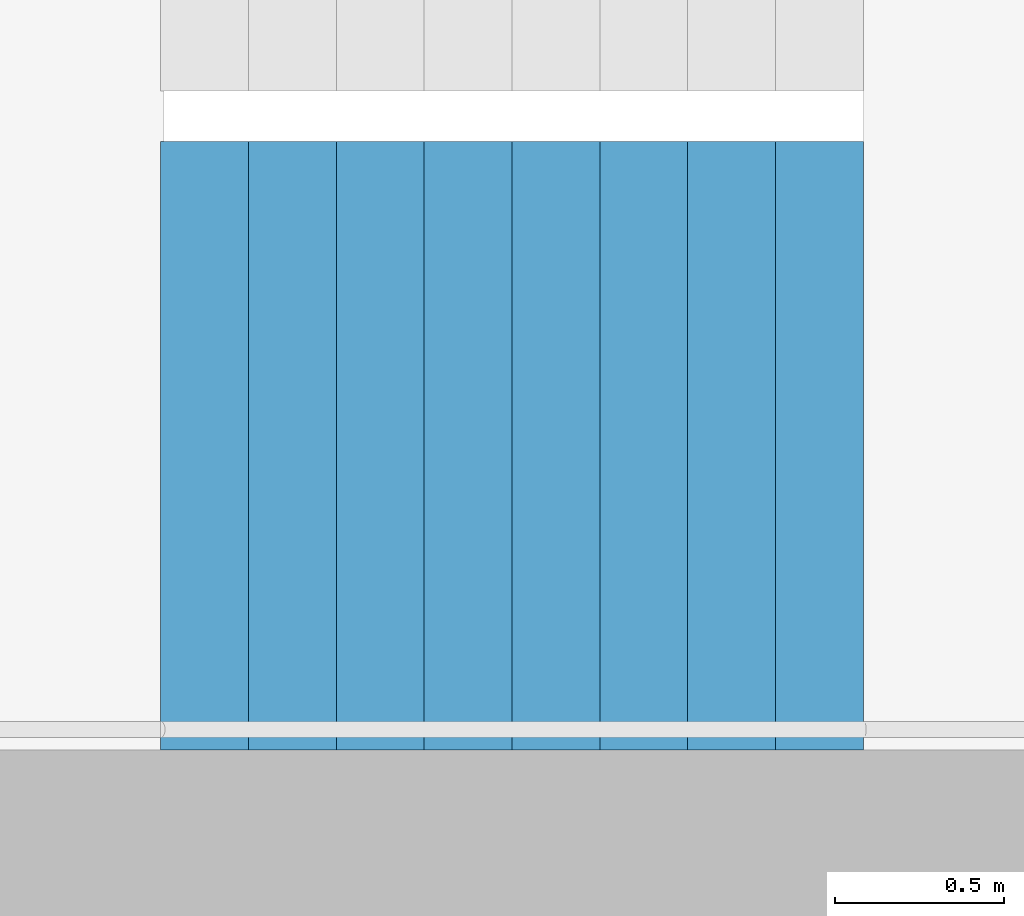
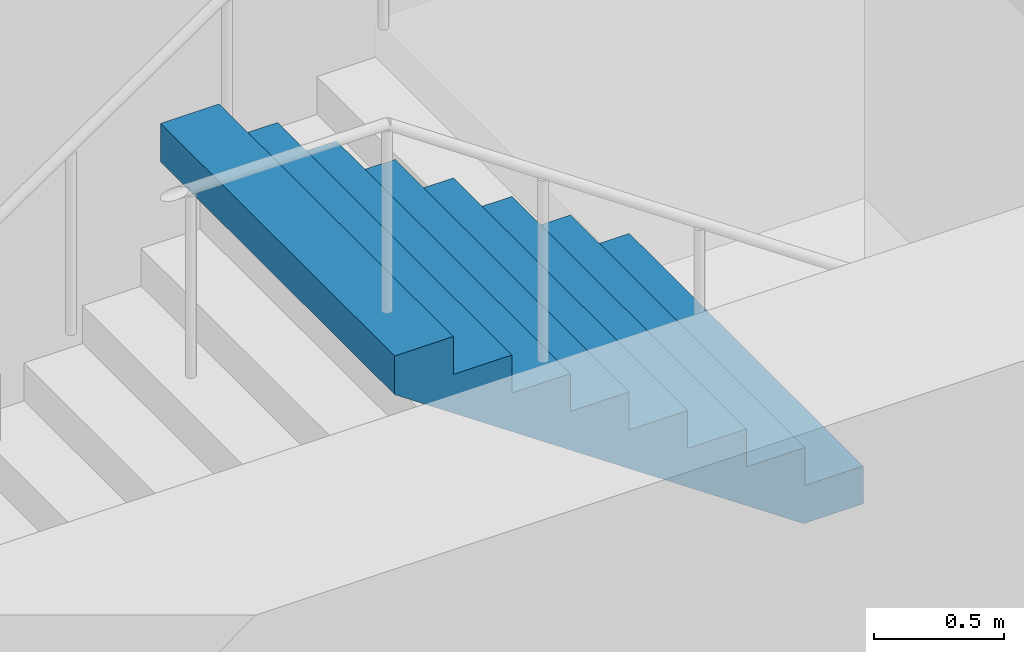
# One storey, part 23 of 27: 1 stair flight, 1 element without a shape of its own.
"""IFC4 building model written with IfcOpenShell, lengths in metres."""

from ifc_helpers import new_model, si_unit, direction, frame, origin, place, context, subcontext, project, spatial, triangles, material, type_object, element, aggregate, save


model = new_model("IFC4")

# Units and contexts
model_context = context("Model", 3, precision=1e-05, world=origin(), true_north=direction((0.0, 1.0)))
body_context = subcontext(model_context, "Body", "Model", "MODEL_VIEW")
ifc_project = project(units=[si_unit("LENGTHUNIT", "METRE"), si_unit("AREAUNIT", "SQUARE_METRE"), si_unit("VOLUMEUNIT", "CUBIC_METRE"), si_unit("PLANEANGLEUNIT", "RADIAN"), si_unit("MASSUNIT", "GRAM", prefix="KILO")], contexts=[model_context])

# Site, building, storey
site_placement = place(None, origin())
site = spatial("IfcSite", under=ifc_project, at=site_placement, CompositionType="ELEMENT")
building_placement = place(site_placement, origin())
building = spatial("IfcBuilding", under=site, at=building_placement, Name="Hakoniwa Tower and Hamabe Station Hall", CompositionType="ELEMENT")
storey_placement = place(building_placement, frame((0.0, 0.0, 166.199951171875)))
storey = spatial("IfcBuildingStorey", under=building, at=storey_placement, Name="L47", CompositionType="ELEMENT", Elevation=166.199951171875)

# Stair, stair flight
ifc_material_1 = material(Name="Concrete C40", Category="concrete")
stair_type = type_object("IfcStairType", Name="ESCAPE STAIR 1800", PredefinedType="HALF_TURN_STAIR", material=ifc_material_1)
stair_placement = place(storey_placement, origin())
stair = element("IfcStair", 1, at=stair_placement, inside=storey, type_object=stair_type, Name="Escape stair ST-4 L47", PredefinedType="HALF_TURN_STAIR")
ifc_material_2 = material(Name="Concrete C40", Category="concrete")
stair_flight_type = type_object("IfcStairFlightType", Name="STAIR FLIGHT 1800", PredefinedType="STRAIGHT", material=ifc_material_2)
stair_flight_placement = place(storey_placement, frame((25.47998046875, -6.60009765625, 1.60009765625), z_axis=(0.0, 0.0, 1.0), x_axis=(-1.0, 0.0, 0.0)))
stair_flight = element("IfcStairFlight", 2, at=stair_flight_placement, type_object=stair_flight_type, Name="ST-4 flight 2", NumberOfRisers=9, NumberOfTreads=8, PredefinedType="STRAIGHT", RiserHeight=0.177777778, TreadLength=0.26, context=body_context, shape_type="Tessellation", body=[
    triangles([(0.0, 0.89990234375, 0.0), (0.260009765625, 0.89990234375, 0.0), (0.265625, 0.89990234375, 0.0), (0.52001953125, 0.89990234375, 0.174072265625), (0.780029296875, 0.89990234375, 0.351806640625), (1.0400390625, 0.89990234375, 0.529541015625), (1.300048828125, 0.89990234375, 0.707275390625), (1.56005859375, 0.89990234375, 0.885009765625), (1.820068359375, 0.89990234375, 1.062744140625), (2.080078125, 0.89990234375, 1.24072265625), (2.080078125, 0.89990234375, 1.422119140625), (1.820068359375, 0.89990234375, 1.422119140625), (1.820068359375, 0.89990234375, 1.244384765625), (1.56005859375, 0.89990234375, 1.244384765625), (1.56005859375, 0.89990234375, 1.066650390625), (1.300048828125, 0.89990234375, 1.066650390625), (1.300048828125, 0.89990234375, 0.888916015625), (1.0400390625, 0.89990234375, 0.888916015625), (1.0400390625, 0.89990234375, 0.711181640625), (0.780029296875, 0.89990234375, 0.711181640625), (0.780029296875, 0.89990234375, 0.533447265625), (0.52001953125, 0.89990234375, 0.533447265625), (0.52001953125, 0.89990234375, 0.35546875), (0.265625, 0.89990234375, 0.35546875), (0.260009765625, 0.89990234375, 0.35546875), (0.260009765625, 0.89990234375, 0.177734375), (0.0, 0.89990234375, 0.177734375), (0.0, 0.06005859375, 0.0), (0.260009765625, 0.06005859375, 0.0), (0.265625, 0.06005859375, 0.0), (0.52001953125, 0.06005859375, 0.174072265625), (0.780029296875, 0.06005859375, 0.351806640625), (1.0400390625, 0.06005859375, 0.529541015625), (1.300048828125, 0.06005859375, 0.707275390625), (1.56005859375, 0.06005859375, 0.885009765625), (1.820068359375, 0.06005859375, 1.062744140625), (2.080078125, 0.06005859375, 1.24072265625), (2.080078125, 0.06005859375, 1.422119140625), (1.820068359375, 0.06005859375, 1.422119140625), (1.820068359375, 0.06005859375, 1.244384765625), (1.56005859375, 0.06005859375, 1.244384765625), (1.56005859375, 0.06005859375, 1.066650390625), (1.300048828125, 0.06005859375, 1.066650390625), (1.300048828125, 0.06005859375, 0.888916015625), (1.0400390625, 0.06005859375, 0.888916015625), (1.0400390625, 0.06005859375, 0.711181640625), (0.780029296875, 0.06005859375, 0.711181640625), (0.780029296875, 0.06005859375, 0.533447265625), (0.52001953125, 0.06005859375, 0.533447265625), (0.52001953125, 0.06005859375, 0.35546875), (0.265625, 0.06005859375, 0.35546875), (0.260009765625, 0.06005859375, 0.35546875), (0.260009765625, 0.06005859375, 0.177734375), (0.0, 0.06005859375, 0.177734375), (0.0, 0.04296875, 0.0), (0.260009765625, 0.04296875, 0.0), (0.265625, 0.04296875, 0.0), (0.52001953125, 0.04296875, 0.174072265625), (0.780029296875, 0.04296875, 0.351806640625), (1.0400390625, 0.04296875, 0.529541015625), (1.300048828125, 0.04296875, 0.707275390625), (1.56005859375, 0.04296875, 0.885009765625), (1.820068359375, 0.04296875, 1.062744140625), (2.080078125, 0.04296875, 1.24072265625), (2.080078125, 0.04296875, 1.422119140625), (1.820068359375, 0.04296875, 1.422119140625), (1.820068359375, 0.04296875, 1.244384765625), (1.56005859375, 0.04296875, 1.244384765625), (1.56005859375, 0.04296875, 1.066650390625), (1.300048828125, 0.04296875, 1.066650390625), (1.300048828125, 0.04296875, 0.888916015625), (1.0400390625, 0.04296875, 0.888916015625), (1.0400390625, 0.04296875, 0.711181640625), (0.780029296875, 0.04296875, 0.711181640625), (0.780029296875, 0.04296875, 0.533447265625), (0.52001953125, 0.04296875, 0.533447265625), (0.52001953125, 0.04296875, 0.35546875), (0.265625, 0.04296875, 0.35546875), (0.260009765625, 0.04296875, 0.35546875), (0.260009765625, 0.04296875, 0.177734375), (0.0, 0.04296875, 0.177734375), (0.0, 0.025634765625, 0.0), (0.260009765625, 0.025634765625, 0.0), (0.265625, 0.025634765625, 0.0), (0.52001953125, 0.025634765625, 0.174072265625), (0.780029296875, 0.025634765625, 0.351806640625), (1.0400390625, 0.025634765625, 0.529541015625), (1.300048828125, 0.025634765625, 0.707275390625), (1.56005859375, 0.025634765625, 0.885009765625), (1.820068359375, 0.025634765625, 1.062744140625), (2.080078125, 0.025634765625, 1.24072265625), (2.080078125, 0.025634765625, 1.422119140625), (1.820068359375, 0.025634765625, 1.422119140625), (1.820068359375, 0.025634765625, 1.244384765625), (1.56005859375, 0.025634765625, 1.244384765625), (1.56005859375, 0.025634765625, 1.066650390625), (1.300048828125, 0.025634765625, 1.066650390625), (1.300048828125, 0.025634765625, 0.888916015625), (1.0400390625, 0.025634765625, 0.888916015625), (1.0400390625, 0.025634765625, 0.711181640625), (0.780029296875, 0.025634765625, 0.711181640625), (0.780029296875, 0.025634765625, 0.533447265625), (0.52001953125, 0.025634765625, 0.533447265625), (0.52001953125, 0.025634765625, 0.35546875), (0.265625, 0.025634765625, 0.35546875), (0.260009765625, 0.025634765625, 0.35546875), (0.260009765625, 0.025634765625, 0.177734375), (0.0, 0.025634765625, 0.177734375), (0.0, 0.008544921875, 0.0), (0.260009765625, 0.008544921875, 0.0), (0.265625, 0.008544921875, 0.0), (0.52001953125, 0.008544921875, 0.174072265625), (0.780029296875, 0.008544921875, 0.351806640625), (1.0400390625, 0.008544921875, 0.529541015625), (1.300048828125, 0.008544921875, 0.707275390625), (1.56005859375, 0.008544921875, 0.885009765625), (1.820068359375, 0.008544921875, 1.062744140625), (2.080078125, 0.008544921875, 1.24072265625), (2.080078125, 0.008544921875, 1.422119140625), (1.820068359375, 0.008544921875, 1.422119140625), (1.820068359375, 0.008544921875, 1.244384765625), (1.56005859375, 0.008544921875, 1.244384765625), (1.56005859375, 0.008544921875, 1.066650390625), (1.300048828125, 0.008544921875, 1.066650390625), (1.300048828125, 0.008544921875, 0.888916015625), (1.0400390625, 0.008544921875, 0.888916015625), (1.0400390625, 0.008544921875, 0.711181640625), (0.780029296875, 0.008544921875, 0.711181640625), (0.780029296875, 0.008544921875, 0.533447265625), (0.52001953125, 0.008544921875, 0.533447265625), (0.52001953125, 0.008544921875, 0.35546875), (0.265625, 0.008544921875, 0.35546875), (0.260009765625, 0.008544921875, 0.35546875), (0.260009765625, 0.008544921875, 0.177734375), (0.0, 0.008544921875, 0.177734375), (0.0, -0.008544921875, 0.0), (0.260009765625, -0.008544921875, 0.0), (0.265625, -0.008544921875, 0.0), (0.52001953125, -0.008544921875, 0.174072265625), (0.780029296875, -0.008544921875, 0.351806640625), (1.0400390625, -0.008544921875, 0.529541015625), (1.300048828125, -0.008544921875, 0.707275390625), (1.56005859375, -0.008544921875, 0.885009765625), (1.820068359375, -0.008544921875, 1.062744140625), (2.080078125, -0.008544921875, 1.24072265625), (2.080078125, -0.008544921875, 1.422119140625), (1.820068359375, -0.008544921875, 1.422119140625), (1.820068359375, -0.008544921875, 1.244384765625), (1.56005859375, -0.008544921875, 1.244384765625), (1.56005859375, -0.008544921875, 1.066650390625), (1.300048828125, -0.008544921875, 1.066650390625), (1.300048828125, -0.008544921875, 0.888916015625), (1.0400390625, -0.008544921875, 0.888916015625), (1.0400390625, -0.008544921875, 0.711181640625), (0.780029296875, -0.008544921875, 0.711181640625), (0.780029296875, -0.008544921875, 0.533447265625), (0.52001953125, -0.008544921875, 0.533447265625), (0.52001953125, -0.008544921875, 0.35546875), (0.265625, -0.008544921875, 0.35546875), (0.260009765625, -0.008544921875, 0.35546875), (0.260009765625, -0.008544921875, 0.177734375), (0.0, -0.008544921875, 0.177734375), (0.0, -0.025634765625, 0.0), (0.260009765625, -0.025634765625, 0.0), (0.265625, -0.025634765625, 0.0), (0.52001953125, -0.025634765625, 0.174072265625), (0.780029296875, -0.025634765625, 0.351806640625), (1.0400390625, -0.025634765625, 0.529541015625), (1.300048828125, -0.025634765625, 0.707275390625), (1.56005859375, -0.025634765625, 0.885009765625), (1.820068359375, -0.025634765625, 1.062744140625), (2.080078125, -0.025634765625, 1.24072265625), (2.080078125, -0.025634765625, 1.422119140625), (1.820068359375, -0.025634765625, 1.422119140625), (1.820068359375, -0.025634765625, 1.244384765625), (1.56005859375, -0.025634765625, 1.244384765625), (1.56005859375, -0.025634765625, 1.066650390625), (1.300048828125, -0.025634765625, 1.066650390625), (1.300048828125, -0.025634765625, 0.888916015625), (1.0400390625, -0.025634765625, 0.888916015625), (1.0400390625, -0.025634765625, 0.711181640625), (0.780029296875, -0.025634765625, 0.711181640625), (0.780029296875, -0.025634765625, 0.533447265625), (0.52001953125, -0.025634765625, 0.533447265625), (0.52001953125, -0.025634765625, 0.35546875), (0.265625, -0.025634765625, 0.35546875), (0.260009765625, -0.025634765625, 0.35546875), (0.260009765625, -0.025634765625, 0.177734375), (0.0, -0.025634765625, 0.177734375), (0.0, -0.04296875, 0.0), (0.260009765625, -0.04296875, 0.0), (0.265625, -0.04296875, 0.0), (0.52001953125, -0.04296875, 0.174072265625), (0.780029296875, -0.04296875, 0.351806640625), (1.0400390625, -0.04296875, 0.529541015625), (1.300048828125, -0.04296875, 0.707275390625), (1.56005859375, -0.04296875, 0.885009765625), (1.820068359375, -0.04296875, 1.062744140625), (2.080078125, -0.04296875, 1.24072265625), (2.080078125, -0.04296875, 1.422119140625), (1.820068359375, -0.04296875, 1.422119140625), (1.820068359375, -0.04296875, 1.244384765625), (1.56005859375, -0.04296875, 1.244384765625), (1.56005859375, -0.04296875, 1.066650390625), (1.300048828125, -0.04296875, 1.066650390625), (1.300048828125, -0.04296875, 0.888916015625), (1.0400390625, -0.04296875, 0.888916015625), (1.0400390625, -0.04296875, 0.711181640625), (0.780029296875, -0.04296875, 0.711181640625), (0.780029296875, -0.04296875, 0.533447265625), (0.52001953125, -0.04296875, 0.533447265625), (0.52001953125, -0.04296875, 0.35546875), (0.265625, -0.04296875, 0.35546875), (0.260009765625, -0.04296875, 0.35546875), (0.260009765625, -0.04296875, 0.177734375), (0.0, -0.04296875, 0.177734375), (0.0, -0.06005859375, 0.0), (0.260009765625, -0.06005859375, 0.0), (0.265625, -0.06005859375, 0.0), (0.52001953125, -0.06005859375, 0.174072265625), (0.780029296875, -0.06005859375, 0.351806640625), (1.0400390625, -0.06005859375, 0.529541015625), (1.300048828125, -0.06005859375, 0.707275390625), (1.56005859375, -0.06005859375, 0.885009765625), (1.820068359375, -0.06005859375, 1.062744140625), (2.080078125, -0.06005859375, 1.24072265625), (2.080078125, -0.06005859375, 1.422119140625), (1.820068359375, -0.06005859375, 1.422119140625), (1.820068359375, -0.06005859375, 1.244384765625), (1.56005859375, -0.06005859375, 1.244384765625), (1.56005859375, -0.06005859375, 1.066650390625), (1.300048828125, -0.06005859375, 1.066650390625), (1.300048828125, -0.06005859375, 0.888916015625), (1.0400390625, -0.06005859375, 0.888916015625), (1.0400390625, -0.06005859375, 0.711181640625), (0.780029296875, -0.06005859375, 0.711181640625), (0.780029296875, -0.06005859375, 0.533447265625), (0.52001953125, -0.06005859375, 0.533447265625), (0.52001953125, -0.06005859375, 0.35546875), (0.265625, -0.06005859375, 0.35546875), (0.260009765625, -0.06005859375, 0.35546875), (0.260009765625, -0.06005859375, 0.177734375), (0.0, -0.06005859375, 0.177734375), (0.0, -0.89990234375, 0.0), (0.260009765625, -0.89990234375, 0.0), (0.265625, -0.89990234375, 0.0), (0.52001953125, -0.89990234375, 0.174072265625), (0.780029296875, -0.89990234375, 0.351806640625), (1.0400390625, -0.89990234375, 0.529541015625), (1.300048828125, -0.89990234375, 0.707275390625), (1.56005859375, -0.89990234375, 0.885009765625), (1.820068359375, -0.89990234375, 1.062744140625), (2.080078125, -0.89990234375, 1.24072265625), (2.080078125, -0.89990234375, 1.422119140625), (1.820068359375, -0.89990234375, 1.422119140625), (1.820068359375, -0.89990234375, 1.244384765625), (1.56005859375, -0.89990234375, 1.244384765625), (1.56005859375, -0.89990234375, 1.066650390625), (1.300048828125, -0.89990234375, 1.066650390625), (1.300048828125, -0.89990234375, 0.888916015625), (1.0400390625, -0.89990234375, 0.888916015625), (1.0400390625, -0.89990234375, 0.711181640625), (0.780029296875, -0.89990234375, 0.711181640625), (0.780029296875, -0.89990234375, 0.533447265625), (0.52001953125, -0.89990234375, 0.533447265625), (0.52001953125, -0.89990234375, 0.35546875), (0.265625, -0.89990234375, 0.35546875), (0.260009765625, -0.89990234375, 0.35546875), (0.260009765625, -0.89990234375, 0.177734375), (0.0, -0.89990234375, 0.177734375)], [[2, 27, 26], [245, 269, 270], [2, 1, 27], [245, 270, 244], [3, 25, 24], [246, 267, 268], [3, 26, 25], [246, 268, 269], [3, 2, 26], [246, 269, 245], [4, 24, 23], [247, 266, 267], [4, 3, 24], [247, 267, 246], [5, 22, 21], [248, 264, 265], [5, 23, 22], [248, 265, 266], [5, 4, 23], [248, 266, 247], [6, 20, 19], [249, 262, 263], [6, 21, 20], [249, 263, 264], [6, 5, 21], [249, 264, 248], [7, 18, 17], [250, 260, 261], [7, 19, 18], [250, 261, 262], [7, 6, 19], [250, 262, 249], [8, 16, 15], [251, 258, 259], [8, 17, 16], [251, 259, 260], [8, 7, 17], [251, 260, 250], [9, 14, 13], [252, 256, 257], [9, 15, 14], [252, 257, 258], [9, 8, 15], [252, 258, 251], [10, 12, 11], [253, 254, 255], [10, 13, 12], [253, 255, 256], [10, 9, 13], [253, 256, 252], [1, 2, 29], [1, 29, 28], [28, 29, 56], [28, 56, 55], [55, 56, 83], [55, 83, 82], [82, 83, 110], [82, 110, 109], [109, 110, 137], [109, 137, 136], [136, 137, 164], [136, 164, 163], [163, 164, 191], [163, 191, 190], [190, 191, 218], [190, 218, 217], [217, 218, 245], [217, 245, 244], [2, 3, 30], [2, 30, 29], [29, 30, 57], [29, 57, 56], [56, 57, 84], [56, 84, 83], [83, 84, 111], [83, 111, 110], [110, 111, 138], [110, 138, 137], [137, 138, 165], [137, 165, 164], [164, 165, 192], [164, 192, 191], [191, 192, 219], [191, 219, 218], [218, 219, 246], [218, 246, 245], [3, 4, 31], [3, 31, 30], [30, 31, 58], [30, 58, 57], [57, 58, 85], [57, 85, 84], [84, 85, 112], [84, 112, 111], [111, 112, 139], [111, 139, 138], [138, 139, 166], [138, 166, 165], [165, 166, 193], [165, 193, 192], [192, 193, 220], [192, 220, 219], [219, 220, 247], [219, 247, 246], [4, 5, 32], [4, 32, 31], [31, 32, 59], [31, 59, 58], [58, 59, 86], [58, 86, 85], [85, 86, 113], [85, 113, 112], [112, 113, 140], [112, 140, 139], [139, 140, 167], [139, 167, 166], [166, 167, 194], [166, 194, 193], [193, 194, 221], [193, 221, 220], [220, 221, 248], [220, 248, 247], [5, 6, 33], [5, 33, 32], [32, 33, 60], [32, 60, 59], [59, 60, 87], [59, 87, 86], [86, 87, 114], [86, 114, 113], [113, 114, 141], [113, 141, 140], [140, 141, 168], [140, 168, 167], [167, 168, 195], [167, 195, 194], [194, 195, 222], [194, 222, 221], [221, 222, 249], [221, 249, 248], [6, 7, 34], [6, 34, 33], [33, 34, 61], [33, 61, 60], [60, 61, 88], [60, 88, 87], [87, 88, 115], [87, 115, 114], [114, 115, 142], [114, 142, 141], [141, 142, 169], [141, 169, 168], [168, 169, 196], [168, 196, 195], [195, 196, 223], [195, 223, 222], [222, 223, 250], [222, 250, 249], [7, 8, 35], [7, 35, 34], [34, 35, 62], [34, 62, 61], [61, 62, 89], [61, 89, 88], [88, 89, 116], [88, 116, 115], [115, 116, 143], [115, 143, 142], [142, 143, 170], [142, 170, 169], [169, 170, 197], [169, 197, 196], [196, 197, 224], [196, 224, 223], [223, 224, 251], [223, 251, 250], [8, 9, 36], [8, 36, 35], [35, 36, 63], [35, 63, 62], [62, 63, 90], [62, 90, 89], [89, 90, 117], [89, 117, 116], [116, 117, 144], [116, 144, 143], [143, 144, 171], [143, 171, 170], [170, 171, 198], [170, 198, 197], [197, 198, 225], [197, 225, 224], [224, 225, 252], [224, 252, 251], [9, 10, 37], [9, 37, 36], [36, 37, 64], [36, 64, 63], [63, 64, 91], [63, 91, 90], [90, 91, 118], [90, 118, 117], [117, 118, 145], [117, 145, 144], [144, 145, 172], [144, 172, 171], [171, 172, 199], [171, 199, 198], [198, 199, 226], [198, 226, 225], [225, 226, 253], [225, 253, 252], [10, 11, 38], [10, 38, 37], [37, 38, 65], [37, 65, 64], [64, 65, 92], [64, 92, 91], [91, 92, 119], [91, 119, 118], [118, 119, 146], [118, 146, 145], [145, 146, 173], [145, 173, 172], [172, 173, 200], [172, 200, 199], [199, 200, 227], [199, 227, 226], [226, 227, 254], [226, 254, 253], [11, 12, 39], [11, 39, 38], [38, 39, 66], [38, 66, 65], [65, 66, 93], [65, 93, 92], [92, 93, 120], [92, 120, 119], [119, 120, 147], [119, 147, 146], [146, 147, 174], [146, 174, 173], [173, 174, 201], [173, 201, 200], [200, 201, 228], [200, 228, 227], [227, 228, 255], [227, 255, 254], [12, 13, 40], [12, 40, 39], [39, 40, 67], [39, 67, 66], [66, 67, 94], [66, 94, 93], [93, 94, 121], [93, 121, 120], [120, 121, 148], [120, 148, 147], [147, 148, 175], [147, 175, 174], [174, 175, 202], [174, 202, 201], [201, 202, 229], [201, 229, 228], [228, 229, 256], [228, 256, 255], [13, 14, 41], [13, 41, 40], [40, 41, 68], [40, 68, 67], [67, 68, 95], [67, 95, 94], [94, 95, 122], [94, 122, 121], [121, 122, 149], [121, 149, 148], [148, 149, 176], [148, 176, 175], [175, 176, 203], [175, 203, 202], [202, 203, 230], [202, 230, 229], [229, 230, 257], [229, 257, 256], [14, 15, 42], [14, 42, 41], [41, 42, 69], [41, 69, 68], [68, 69, 96], [68, 96, 95], [95, 96, 123], [95, 123, 122], [122, 123, 150], [122, 150, 149], [149, 150, 177], [149, 177, 176], [176, 177, 204], [176, 204, 203], [203, 204, 231], [203, 231, 230], [230, 231, 258], [230, 258, 257], [15, 16, 43], [15, 43, 42], [42, 43, 70], [42, 70, 69], [69, 70, 97], [69, 97, 96], [96, 97, 124], [96, 124, 123], [123, 124, 151], [123, 151, 150], [150, 151, 178], [150, 178, 177], [177, 178, 205], [177, 205, 204], [204, 205, 232], [204, 232, 231], [231, 232, 259], [231, 259, 258], [16, 17, 44], [16, 44, 43], [43, 44, 71], [43, 71, 70], [70, 71, 98], [70, 98, 97], [97, 98, 125], [97, 125, 124], [124, 125, 152], [124, 152, 151], [151, 152, 179], [151, 179, 178], [178, 179, 206], [178, 206, 205], [205, 206, 233], [205, 233, 232], [232, 233, 260], [232, 260, 259], [17, 18, 45], [17, 45, 44], [44, 45, 72], [44, 72, 71], [71, 72, 99], [71, 99, 98], [98, 99, 126], [98, 126, 125], [125, 126, 153], [125, 153, 152], [152, 153, 180], [152, 180, 179], [179, 180, 207], [179, 207, 206], [206, 207, 234], [206, 234, 233], [233, 234, 261], [233, 261, 260], [18, 19, 46], [18, 46, 45], [45, 46, 73], [45, 73, 72], [72, 73, 100], [72, 100, 99], [99, 100, 127], [99, 127, 126], [126, 127, 154], [126, 154, 153], [153, 154, 181], [153, 181, 180], [180, 181, 208], [180, 208, 207], [207, 208, 235], [207, 235, 234], [234, 235, 262], [234, 262, 261], [19, 20, 47], [19, 47, 46], [46, 47, 74], [46, 74, 73], [73, 74, 101], [73, 101, 100], [100, 101, 128], [100, 128, 127], [127, 128, 155], [127, 155, 154], [154, 155, 182], [154, 182, 181], [181, 182, 209], [181, 209, 208], [208, 209, 236], [208, 236, 235], [235, 236, 263], [235, 263, 262], [20, 21, 48], [20, 48, 47], [47, 48, 75], [47, 75, 74], [74, 75, 102], [74, 102, 101], [101, 102, 129], [101, 129, 128], [128, 129, 156], [128, 156, 155], [155, 156, 183], [155, 183, 182], [182, 183, 210], [182, 210, 209], [209, 210, 237], [209, 237, 236], [236, 237, 264], [236, 264, 263], [21, 22, 49], [21, 49, 48], [48, 49, 76], [48, 76, 75], [75, 76, 103], [75, 103, 102], [102, 103, 130], [102, 130, 129], [129, 130, 157], [129, 157, 156], [156, 157, 184], [156, 184, 183], [183, 184, 211], [183, 211, 210], [210, 211, 238], [210, 238, 237], [237, 238, 265], [237, 265, 264], [22, 23, 50], [22, 50, 49], [49, 50, 77], [49, 77, 76], [76, 77, 104], [76, 104, 103], [103, 104, 131], [103, 131, 130], [130, 131, 158], [130, 158, 157], [157, 158, 185], [157, 185, 184], [184, 185, 212], [184, 212, 211], [211, 212, 239], [211, 239, 238], [238, 239, 266], [238, 266, 265], [23, 24, 51], [23, 51, 50], [50, 51, 78], [50, 78, 77], [77, 78, 105], [77, 105, 104], [104, 105, 132], [104, 132, 131], [131, 132, 159], [131, 159, 158], [158, 159, 186], [158, 186, 185], [185, 186, 213], [185, 213, 212], [212, 213, 240], [212, 240, 239], [239, 240, 267], [239, 267, 266], [24, 25, 52], [24, 52, 51], [51, 52, 79], [51, 79, 78], [78, 79, 106], [78, 106, 105], [105, 106, 133], [105, 133, 132], [132, 133, 160], [132, 160, 159], [159, 160, 187], [159, 187, 186], [186, 187, 214], [186, 214, 213], [213, 214, 241], [213, 241, 240], [240, 241, 268], [240, 268, 267], [25, 26, 53], [25, 53, 52], [52, 53, 80], [52, 80, 79], [79, 80, 107], [79, 107, 106], [106, 107, 134], [106, 134, 133], [133, 134, 161], [133, 161, 160], [160, 161, 188], [160, 188, 187], [187, 188, 215], [187, 215, 214], [214, 215, 242], [214, 242, 241], [241, 242, 269], [241, 269, 268], [26, 27, 54], [26, 54, 53], [53, 54, 81], [53, 81, 80], [80, 81, 108], [80, 108, 107], [107, 108, 135], [107, 135, 134], [134, 135, 162], [134, 162, 161], [161, 162, 189], [161, 189, 188], [188, 189, 216], [188, 216, 215], [215, 216, 243], [215, 243, 242], [242, 243, 270], [242, 270, 269], [27, 1, 28], [27, 28, 54], [54, 28, 55], [54, 55, 81], [81, 55, 82], [81, 82, 108], [108, 82, 109], [108, 109, 135], [135, 109, 136], [135, 136, 162], [162, 136, 163], [162, 163, 189], [189, 163, 190], [189, 190, 216], [216, 190, 217], [216, 217, 243], [243, 217, 244], [243, 244, 270]], closed=True),
])
aggregate(stair, [stair_flight])

save(model, "model.ifc")
